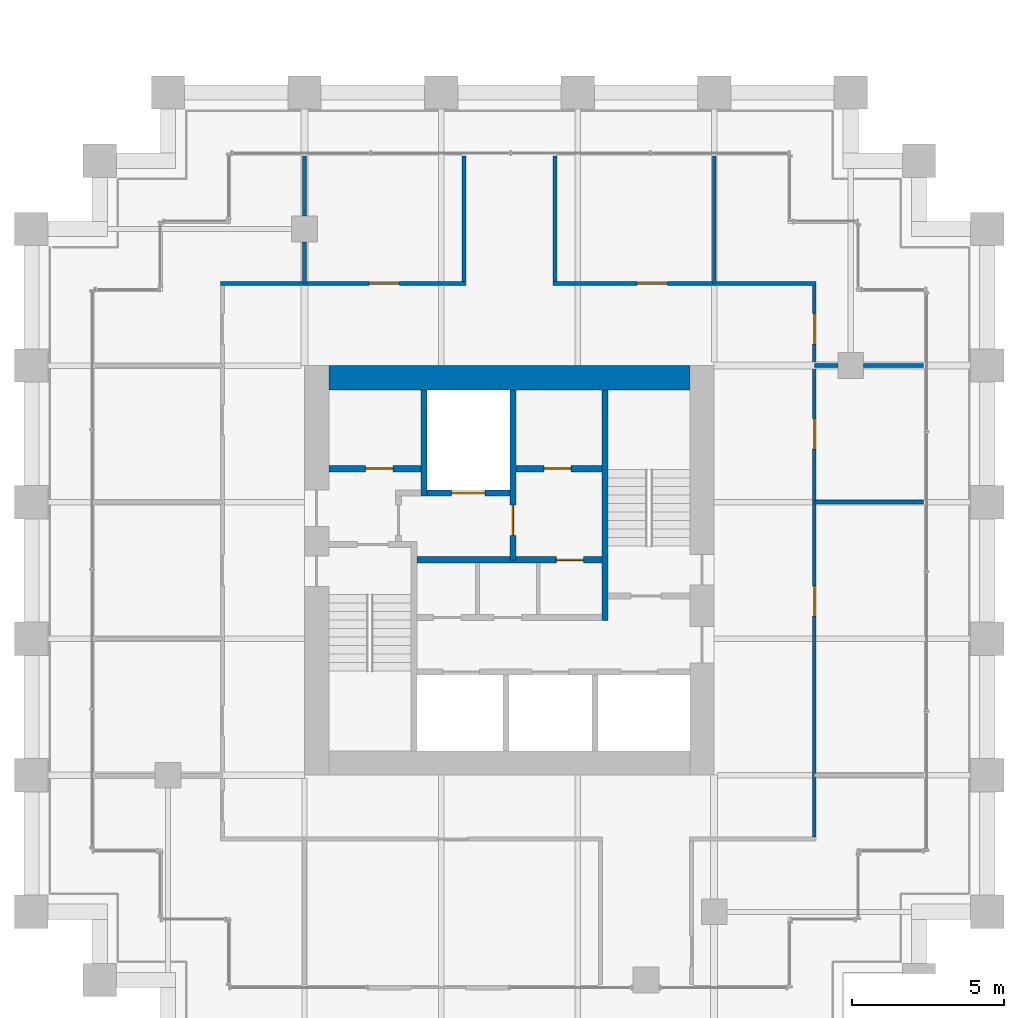
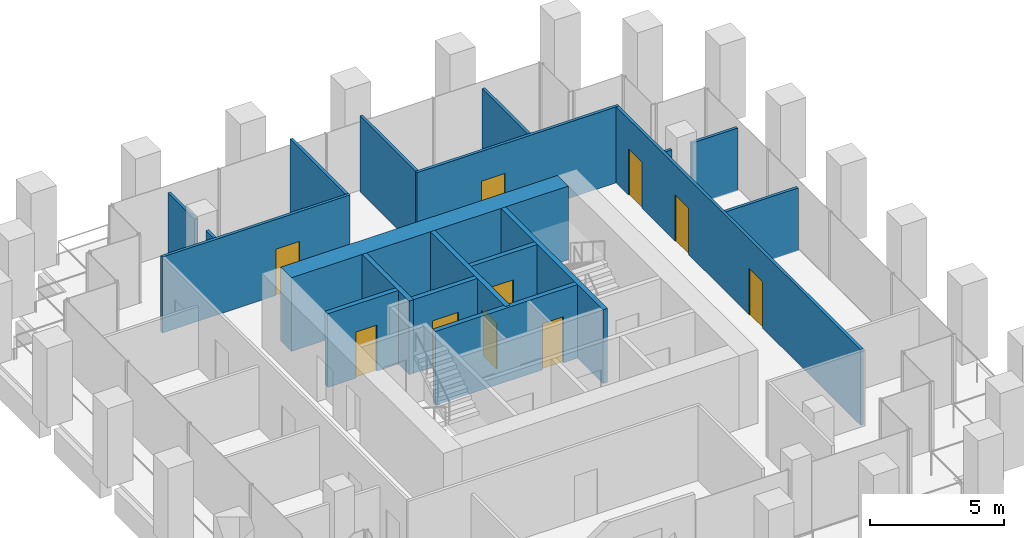
# One storey, part 53 of 56: 19 walls, 10 doors, 10 openings.
"""IFC4 building model written with IfcOpenShell, lengths in metres."""

from ifc_helpers import new_model, si_unit, direction, frame, frame_2d, origin, place, context, subcontext, project, spatial, rectangle, extrude, material, layer, layer_set, type_object, element, fill, save


model = new_model("IFC4")

# Units and contexts
model_context = context("Model", 3, precision=1e-05, world=origin(), true_north=direction((0.0, 1.0)))
body_context = subcontext(model_context, "Body", "Model", "MODEL_VIEW")
ifc_project = project(units=[si_unit("LENGTHUNIT", "METRE"), si_unit("AREAUNIT", "SQUARE_METRE"), si_unit("VOLUMEUNIT", "CUBIC_METRE"), si_unit("PLANEANGLEUNIT", "RADIAN"), si_unit("MASSUNIT", "GRAM", prefix="KILO")], contexts=[model_context])

# Site, building, storey
site_placement = place(None, origin())
site = spatial("IfcSite", under=ifc_project, at=site_placement, CompositionType="ELEMENT")
building_placement = place(site_placement, origin())
building = spatial("IfcBuilding", under=site, at=building_placement, Name="Altepetl Exchange Towers", CompositionType="ELEMENT")
storey_placement = place(building_placement, frame((0.0, 0.0, 54.60009765625)))
storey = spatial("IfcBuildingStorey", under=building, at=storey_placement, Name="L12", CompositionType="ELEMENT", Elevation=54.60009765625)

# Wall
ifc_material_1 = material(Name="Concrete C70/85", Category="concrete")
ifc_layer_1 = layer(ifc_material_1, 0.800048828125)
ifc_layer_set_1 = layer_set([ifc_layer_1], Name="Concrete C70/85")
wall_type_1 = type_object("IfcWallType", Name="Core wall 800 reinforced concrete", PredefinedType="SHEAR", material=ifc_layer_set_1)
wall_1_placement = place(storey_placement, frame((104.300048828125, 49.10009765625, 0.0)))
element("IfcWall", 1, at=wall_1_placement, inside=storey, type_object=wall_type_1, Name="wall:B:L12:K-coreN", PredefinedType="SHEAR", context=body_context, shape_type="SweptSolid", body=[
    extrude(rectangle(XDim=11.89990234375, YDim=0.800048828125, at=frame_2d((5.949951171875, 0.0))), origin(), (0.0, 0.0, 1.0), 3.349853515625),
])

# Wall, opening, door
ifc_material_2 = material(Name="Concrete blockwork", Category="masonry")
ifc_layer_2 = layer(ifc_material_2, 0.199951171875)
ifc_layer_set_2 = layer_set([ifc_layer_2], Name="Concrete blockwork")
wall_type_2 = type_object("IfcWallType", Name="Lobby wall 200 blockwork", PredefinedType="PARTITIONING", material=ifc_layer_set_2)
wall_2_placement = place(storey_placement, frame((107.199951171875, 43.10009765625, 0.0)))
wall_2 = element("IfcWall", 2, at=wall_2_placement, inside=storey, type_object=wall_type_2, Name="wall:B:L12:K-zoneN", PredefinedType="PARTITIONING", context=body_context, shape_type="SweptSolid", body=[
    extrude(rectangle(XDim=6.10009765625, YDim=0.199951171875, at=frame_2d((3.050048828125, 0.0))), origin(), (0.0, 0.0, 1.0), 3.349853515625),
])
opening_1_placement = place(wall_2_placement, frame((4.60009765625, 0.0, 0.0)))
opening_1 = element("IfcOpeningElement", 3, at=opening_1_placement, cuts=wall_2, Name="Opening L12.B72", PredefinedType="OPENING", context=body_context, shape_type="SweptSolid", body=[
    extrude(rectangle(XDim=0.89990234375, YDim=2.10009765625, at=frame_2d((0.449951171875, 1.050048828125))), frame((0.0, 0.10986328125, 0.0), z_axis=(0.0, -1.0, 0.0), x_axis=(1.0, 0.0, 0.0)), (0.0, 0.0, 1.0), 0.219970703125),
])
ifc_material_3 = material(Name="Steel and timber fire door", Category="steel")
door_type_1 = type_object("IfcDoorType", Name="Fire door 900 x 2100 service room", OperationType="SINGLE_SWING_LEFT", PredefinedType="DOOR", material=ifc_material_3)
door_1_placement = place(opening_1_placement, frame((0.89990234375, 0.0, 0.0), x_axis=(-1.0, 0.0, 0.0)))
door_1 = element("IfcDoor", 4, at=door_1_placement, inside=storey, type_object=door_type_1, Name="door:B:L12:K-dz3", OperationType="SINGLE_SWING_LEFT", OverallHeight=2.10009765625, OverallWidth=0.89990234375, PredefinedType="DOOR", context=body_context, shape_type="SweptSolid", body=[
    extrude(rectangle(XDim=0.89990234375, YDim=2.10009765625, at=frame_2d((0.449951171875, 1.050048828125))), frame((0.0, 0.02490234375, 0.0), z_axis=(0.0, -1.0, 0.0), x_axis=(1.0, 0.0, 0.0)), (0.0, 0.0, 1.0), 0.050048828125),
])
fill(opening_1, door_1)

# Walls
ifc_material_4 = material(Name="Gypsum board on steel studs", Category="steel")
ifc_layer_3 = layer(ifc_material_4, 0.125)
ifc_layer_set_3 = layer_set([ifc_layer_3], Name="Gypsum board on steel studs")
wall_type_3 = type_object("IfcWallType", Name="Partition 125 gypsum board on steel studs", PredefinedType="PARTITIONING", material=ifc_layer_set_3)
wall_3_placement = place(storey_placement, frame((120.300048828125, 45.0, 0.0)))
element("IfcWall", 5, at=wall_3_placement, inside=storey, type_object=wall_type_3, Name="wall:B:L12:P08", PredefinedType="PARTITIONING", context=body_context, shape_type="SweptSolid", body=[
    extrude(rectangle(XDim=3.599853515625, YDim=0.125, at=frame_2d((1.7998046875, 0.0))), origin(), (0.0, 0.0, 1.0), 2.850830078125),
])
wall_4_placement = place(storey_placement, frame((120.300048828125, 49.5, 0.0)))
element("IfcWall", 6, at=wall_4_placement, inside=storey, type_object=wall_type_3, Name="wall:B:L12:P10", PredefinedType="PARTITIONING", context=body_context, shape_type="SweptSolid", body=[
    extrude(rectangle(XDim=0.77490234375, YDim=0.125, at=frame_2d((0.387451171875, 0.0))), origin(), (0.0, 0.0, 1.0), 2.841796875),
])
wall_5_placement = place(storey_placement, frame((121.925048828125, 49.5, 0.0)))
element("IfcWall", 7, at=wall_5_placement, inside=storey, type_object=wall_type_3, Name="wall:B:L12:P11", PredefinedType="PARTITIONING", context=body_context, shape_type="SweptSolid", body=[
    extrude(rectangle(XDim=1.974853515625, YDim=0.125, at=frame_2d((0.9873046875, 0.0))), origin(), (0.0, 0.0, 1.0), 2.841796875),
])

# Wall, opening, door
wall_6_placement = place(storey_placement, frame((100.737548828125, 52.199951171875, 0.0)))
wall_6 = element("IfcWall", 8, at=wall_6_placement, inside=storey, type_object=wall_type_3, Name="wall:B:L12:P12", PredefinedType="PARTITIONING", context=body_context, shape_type="SweptSolid", body=[
    extrude(rectangle(XDim=8.074951171875, YDim=0.125, at=frame_2d((4.03759765625, 0.0))), origin(), (0.0, 0.0, 1.0), 3.449951171875),
])
opening_2_placement = place(wall_6_placement, frame((4.887451171875, 0.0, 0.0)))
opening_2 = element("IfcOpeningElement", 9, at=opening_2_placement, cuts=wall_6, Name="Opening L12.B10", PredefinedType="OPENING", context=body_context, shape_type="SweptSolid", body=[
    extrude(rectangle(XDim=1.0, YDim=2.10009765625, at=frame_2d((0.5, 1.050048828125))), frame((0.0, 0.072509765625, 0.0), z_axis=(0.0, -1.0, 0.0), x_axis=(1.0, 0.0, 0.0)), (0.0, 0.0, 1.0), 0.14501953125),
])
door_type_2 = type_object("IfcDoorType", Name="Fire door 1000 x 2100 single leaf", OperationType="SINGLE_SWING_LEFT", PredefinedType="DOOR", material=ifc_material_3)
door_2_placement = place(opening_2_placement, origin())
door_2 = element("IfcDoor", 10, at=door_2_placement, inside=storey, type_object=door_type_2, Name="door:B:L12:10", OperationType="SINGLE_SWING_LEFT", OverallHeight=2.10009765625, OverallWidth=1.0, PredefinedType="DOOR", context=body_context, shape_type="SweptSolid", body=[
    extrude(rectangle(XDim=1.0, YDim=2.10009765625, at=frame_2d((0.5, 1.050048828125))), frame((0.0, 0.02490234375, 0.0), z_axis=(0.0, -1.0, 0.0), x_axis=(1.0, 0.0, 0.0)), (0.0, 0.0, 1.0), 0.050048828125),
])
fill(opening_2, door_2)

wall_7_placement = place(storey_placement, frame((111.6875, 52.199951171875, 0.0)))
wall_7 = element("IfcWall", 11, at=wall_7_placement, inside=storey, type_object=wall_type_3, Name="wall:B:L12:P13", PredefinedType="PARTITIONING", context=body_context, shape_type="SweptSolid", body=[
    extrude(rectangle(XDim=8.675048828125, YDim=0.125, at=frame_2d((4.33740234375, 0.0))), origin(), (0.0, 0.0, 1.0), 3.449951171875),
])
opening_3_placement = place(wall_7_placement, frame((2.7734375, 0.0, 0.0)))
opening_3 = element("IfcOpeningElement", 12, at=opening_3_placement, cuts=wall_7, Name="Opening L12.B09", PredefinedType="OPENING", context=body_context, shape_type="SweptSolid", body=[
    extrude(rectangle(XDim=1.0, YDim=2.10009765625, at=frame_2d((0.5, 1.050048828125))), frame((0.0, 0.072509765625, 0.0), z_axis=(0.0, -1.0, 0.0), x_axis=(1.0, 0.0, 0.0)), (0.0, 0.0, 1.0), 0.14501953125),
])
door_3_placement = place(opening_3_placement, origin())
door_3 = element("IfcDoor", 13, at=door_3_placement, inside=storey, type_object=door_type_2, Name="door:B:L12:09", OperationType="SINGLE_SWING_RIGHT", OverallHeight=2.10009765625, OverallWidth=1.0, PredefinedType="DOOR", context=body_context, shape_type="SweptSolid", body=[
    extrude(rectangle(XDim=1.0, YDim=2.10009765625, at=frame_2d((0.5, 1.050048828125))), frame((0.0, 0.02490234375, 0.0), z_axis=(0.0, -1.0, 0.0), x_axis=(1.0, 0.0, 0.0)), (0.0, 0.0, 1.0), 0.050048828125),
])
fill(opening_3, door_3)

# Walls
wall_8_placement = place(storey_placement, frame((103.5, 52.199951171875, 0.0), z_axis=(0.0, 0.0, 1.0), x_axis=(0.0, 1.0, 0.0)))
element("IfcWall", 14, at=wall_8_placement, inside=storey, type_object=wall_type_3, Name="wall:B:L12:P16", PredefinedType="PARTITIONING", context=body_context, shape_type="SweptSolid", body=[
    extrude(rectangle(XDim=1.375, YDim=0.125, at=frame_2d((0.6875, 0.0))), origin(), (0.0, 0.0, 1.0), 2.841796875),
])
wall_9_placement = place(storey_placement, frame((103.5, 54.425048828125, 0.0), z_axis=(0.0, 0.0, 1.0), x_axis=(0.0, 1.0, 0.0)))
element("IfcWall", 15, at=wall_9_placement, inside=storey, type_object=wall_type_3, Name="wall:B:L12:P17", PredefinedType="PARTITIONING", context=body_context, shape_type="SweptSolid", body=[
    extrude(rectangle(XDim=1.974853515625, YDim=0.125, at=frame_2d((0.9873046875, 0.0))), origin(), (0.0, 0.0, 1.0), 2.841796875),
])
for number, where, z_axis, x_axis, name in (
    (16, (108.75, 52.262451171875, 0.0), (0.0, 0.0, 1.0), (0.0, 1.0, 0.0), "wall:B:L12:P18"),
    (17, (111.75, 52.262451171875, 0.0), (0.0, 0.0, 1.0), (0.0, 1.0, 0.0), "wall:B:L12:P19"),
):
    element("IfcWall", number, at=place(storey_placement, frame(where, z_axis=z_axis, x_axis=x_axis)), inside=storey, type_object=wall_type_3, Name=name, PredefinedType="PARTITIONING", context=body_context, shape_type="SweptSolid", body=[
        extrude(rectangle(XDim=4.137451171875, YDim=0.125, at=frame_2d((2.06884765625, 0.0))), origin(), (0.0, 0.0, 1.0), 3.449951171875),
    ])
wall_10_placement = place(storey_placement, frame((117.0, 52.199951171875, 0.0), z_axis=(0.0, 0.0, 1.0), x_axis=(0.0, 1.0, 0.0)))
element("IfcWall", 18, at=wall_10_placement, inside=storey, type_object=wall_type_3, Name="wall:B:L12:P22", PredefinedType="PARTITIONING", context=body_context, shape_type="SweptSolid", body=[
    extrude(rectangle(XDim=4.199951171875, YDim=0.125, at=frame_2d((2.10009765625, 0.0))), origin(), (0.0, 0.0, 1.0), 2.850830078125),
])

# Wall, openings, doors
wall_11_placement = place(storey_placement, frame((120.300048828125, 33.96240234375, 0.0), z_axis=(0.0, 0.0, 1.0), x_axis=(0.0, 1.0, 0.0)))
wall_11 = element("IfcWall", 19, at=wall_11_placement, inside=storey, type_object=wall_type_3, Name="wall:B:L12:P23", PredefinedType="PARTITIONING", context=body_context, shape_type="SweptSolid", body=[
    extrude(rectangle(XDim=18.175048828125, YDim=0.125, at=frame_2d((9.08740234375, 0.0))), origin(), (0.0, 0.0, 1.0), 3.449951171875),
])
opening_4_placement = place(wall_11_placement, frame((7.279541015625, 0.0, 0.0)))
opening_4 = element("IfcOpeningElement", 20, at=opening_4_placement, cuts=wall_11, Name="Opening L12.B06", PredefinedType="OPENING", context=body_context, shape_type="SweptSolid", body=[
    extrude(rectangle(XDim=1.0, YDim=2.10009765625, at=frame_2d((0.5, 1.050048828125))), frame((0.0, 0.072509765625, 0.0), z_axis=(0.0, -1.0, 0.0), x_axis=(1.0, 0.0, 0.0)), (0.0, 0.0, 1.0), 0.14501953125),
])
opening_5_placement = place(wall_11_placement, frame((12.78759765625, 0.0, 0.0)))
opening_5 = element("IfcOpeningElement", 21, at=opening_5_placement, cuts=wall_11, Name="Opening L12.B07", PredefinedType="OPENING", context=body_context, shape_type="SweptSolid", body=[
    extrude(rectangle(XDim=1.0, YDim=2.10009765625, at=frame_2d((0.5, 1.050048828125))), frame((0.0, 0.072509765625, 0.0), z_axis=(0.0, -1.0, 0.0), x_axis=(1.0, 0.0, 0.0)), (0.0, 0.0, 1.0), 0.14501953125),
])
opening_6_placement = place(wall_11_placement, frame((16.24755859375, 0.0, 0.0)))
opening_6 = element("IfcOpeningElement", 22, at=opening_6_placement, cuts=wall_11, Name="Opening L12.B08", PredefinedType="OPENING", context=body_context, shape_type="SweptSolid", body=[
    extrude(rectangle(XDim=1.0, YDim=2.10009765625, at=frame_2d((0.5, 1.050048828125))), frame((0.0, 0.072509765625, 0.0), z_axis=(0.0, -1.0, 0.0), x_axis=(1.0, 0.0, 0.0)), (0.0, 0.0, 1.0), 0.14501953125),
])
door_4_placement = place(opening_4_placement, frame((1.0, 0.0, 0.0), x_axis=(-1.0, 0.0, 0.0)))
door_4 = element("IfcDoor", 23, at=door_4_placement, inside=storey, type_object=door_type_2, Name="door:B:L12:06", OperationType="SINGLE_SWING_LEFT", OverallHeight=2.10009765625, OverallWidth=1.0, PredefinedType="DOOR", context=body_context, shape_type="SweptSolid", body=[
    extrude(rectangle(XDim=1.0, YDim=2.10009765625, at=frame_2d((0.5, 1.050048828125))), frame((0.0, 0.02490234375, 0.0), z_axis=(0.0, -1.0, 0.0), x_axis=(1.0, 0.0, 0.0)), (0.0, 0.0, 1.0), 0.050048828125),
])
fill(opening_4, door_4)
door_5_placement = place(opening_5_placement, frame((1.0, 0.0, 0.0), x_axis=(-1.0, 0.0, 0.0)))
door_5 = element("IfcDoor", 24, at=door_5_placement, inside=storey, type_object=door_type_2, Name="door:B:L12:07", OperationType="SINGLE_SWING_LEFT", OverallHeight=2.10009765625, OverallWidth=1.0, PredefinedType="DOOR", context=body_context, shape_type="SweptSolid", body=[
    extrude(rectangle(XDim=1.0, YDim=2.10009765625, at=frame_2d((0.5, 1.050048828125))), frame((0.0, 0.02490234375, 0.0), z_axis=(0.0, -1.0, 0.0), x_axis=(1.0, 0.0, 0.0)), (0.0, 0.0, 1.0), 0.050048828125),
])
fill(opening_5, door_5)
door_6_placement = place(opening_6_placement, origin())
door_6 = element("IfcDoor", 25, at=door_6_placement, inside=storey, type_object=door_type_2, Name="door:B:L12:08", OperationType="SINGLE_SWING_RIGHT", OverallHeight=2.10009765625, OverallWidth=1.0, PredefinedType="DOOR", context=body_context, shape_type="SweptSolid", body=[
    extrude(rectangle(XDim=1.0, YDim=2.10009765625, at=frame_2d((0.5, 1.050048828125))), frame((0.0, 0.02490234375, 0.0), z_axis=(0.0, -1.0, 0.0), x_axis=(1.0, 0.0, 0.0)), (0.0, 0.0, 1.0), 0.050048828125),
])
fill(opening_6, door_6)

# Wall
ifc_material_5 = material(Name="Concrete C40/50", Category="concrete")
ifc_layer_4 = layer(ifc_material_5, 0.199951171875)
ifc_layer_set_4 = layer_set([ifc_layer_4], Name="Concrete C40/50")
wall_type_4 = type_object("IfcWallType", Name="Shaft wall 200 reinforced concrete", PredefinedType="SHEAR", material=ifc_layer_set_4)
wall_12_placement = place(storey_placement, frame((107.433349609375, 48.699951171875, 0.0), z_axis=(0.0, 0.0, 1.0), x_axis=(0.0, -1.0, 0.0)))
element("IfcWall", 26, at=wall_12_placement, inside=storey, type_object=wall_type_4, Name="wall:B:L12:K-divN1", PredefinedType="SHEAR", context=body_context, shape_type="SweptSolid", body=[
    extrude(rectangle(XDim=3.5, YDim=0.199951171875, at=frame_2d((1.75, 0.0))), origin(), (0.0, 0.0, 1.0), 3.349853515625),
])

# Wall, opening, door
wall_13_placement = place(storey_placement, frame((110.36669921875, 48.699951171875, 0.0), z_axis=(0.0, 0.0, 1.0), x_axis=(0.0, -1.0, 0.0)))
wall_13 = element("IfcWall", 27, at=wall_13_placement, inside=storey, type_object=wall_type_4, Name="wall:B:L12:K-divN2", PredefinedType="SHEAR", context=body_context, shape_type="SweptSolid", body=[
    extrude(rectangle(XDim=5.599853515625, YDim=0.199951171875, at=frame_2d((2.7998046875, 0.0))), origin(), (0.0, 0.0, 1.0), 3.349853515625),
])
opening_7_placement = place(wall_13_placement, frame((3.800048828125, 0.0, 0.0)))
opening_7 = element("IfcOpeningElement", 28, at=opening_7_placement, cuts=wall_13, Name="Opening L12.B66", PredefinedType="OPENING", context=body_context, shape_type="SweptSolid", body=[
    extrude(rectangle(XDim=1.0, YDim=2.10009765625, at=frame_2d((0.5, 1.050048828125))), frame((0.0, 0.10986328125, 0.0), z_axis=(0.0, -1.0, 0.0), x_axis=(1.0, 0.0, 0.0)), (0.0, 0.0, 1.0), 0.219970703125),
])
door_type_3 = type_object("IfcDoorType", Name="Fire door 1000 x 2100 stair and lobby", OperationType="SINGLE_SWING_LEFT", PredefinedType="DOOR", material=ifc_material_3)
door_7_placement = place(opening_7_placement, frame((1.0, 0.0, 0.0), x_axis=(-1.0, 0.0, 0.0)))
door_7 = element("IfcDoor", 29, at=door_7_placement, inside=storey, type_object=door_type_3, Name="door:B:L12:K-dffE", OperationType="SINGLE_SWING_RIGHT", OverallHeight=2.10009765625, OverallWidth=1.0, PredefinedType="DOOR", context=body_context, shape_type="SweptSolid", body=[
    extrude(rectangle(XDim=1.0, YDim=2.10009765625, at=frame_2d((0.5, 1.050048828125))), frame((0.0, 0.02490234375, 0.0), z_axis=(0.0, -1.0, 0.0), x_axis=(1.0, 0.0, 0.0)), (0.0, 0.0, 1.0), 0.050048828125),
])
fill(opening_7, door_7)

wall_14_placement = place(storey_placement, frame((104.300048828125, 46.10009765625, 0.0)))
wall_14 = element("IfcWall", 30, at=wall_14_placement, inside=storey, type_object=wall_type_4, Name="wall:B:L12:K-frontNa", PredefinedType="SHEAR", context=body_context, shape_type="SweptSolid", body=[
    extrude(rectangle(XDim=3.033203125, YDim=0.199951171875, at=frame_2d((1.5166015625, 0.0))), origin(), (0.0, 0.0, 1.0), 3.349853515625),
])
opening_8_placement = place(wall_14_placement, frame((1.216796875, 0.0, 0.0)))
opening_8 = element("IfcOpeningElement", 31, at=opening_8_placement, cuts=wall_14, Name="Opening L12.B68", PredefinedType="OPENING", context=body_context, shape_type="SweptSolid", body=[
    extrude(rectangle(XDim=0.89990234375, YDim=2.10009765625, at=frame_2d((0.449951171875, 1.050048828125))), frame((0.0, 0.10986328125, 0.0), z_axis=(0.0, -1.0, 0.0), x_axis=(1.0, 0.0, 0.0)), (0.0, 0.0, 1.0), 0.219970703125),
])
door_8_placement = place(opening_8_placement, origin())
door_8 = element("IfcDoor", 32, at=door_8_placement, inside=storey, type_object=door_type_1, Name="door:B:L12:K-dslotN0", OperationType="SINGLE_SWING_RIGHT", OverallHeight=2.10009765625, OverallWidth=0.89990234375, PredefinedType="DOOR", context=body_context, shape_type="SweptSolid", body=[
    extrude(rectangle(XDim=0.89990234375, YDim=2.10009765625, at=frame_2d((0.449951171875, 1.050048828125))), frame((0.0, 0.02490234375, 0.0), z_axis=(0.0, -1.0, 0.0), x_axis=(1.0, 0.0, 0.0)), (0.0, 0.0, 1.0), 0.050048828125),
])
fill(opening_8, door_8)

wall_15_placement = place(storey_placement, frame((110.466796875, 46.10009765625, 0.0)))
wall_15 = element("IfcWall", 33, at=wall_15_placement, inside=storey, type_object=wall_type_4, Name="wall:B:L12:K-frontNb", PredefinedType="SHEAR", context=body_context, shape_type="SweptSolid", body=[
    extrude(rectangle(XDim=2.833251953125, YDim=0.199951171875, at=frame_2d((1.41650390625, 0.0))), origin(), (0.0, 0.0, 1.0), 3.349853515625),
])
opening_9_placement = place(wall_15_placement, frame((0.91650390625, 0.0, 0.0)))
opening_9 = element("IfcOpeningElement", 34, at=opening_9_placement, cuts=wall_15, Name="Opening L12.B69", PredefinedType="OPENING", context=body_context, shape_type="SweptSolid", body=[
    extrude(rectangle(XDim=0.89990234375, YDim=2.10009765625, at=frame_2d((0.449951171875, 1.050048828125))), frame((0.0, 0.10986328125, 0.0), z_axis=(0.0, -1.0, 0.0), x_axis=(1.0, 0.0, 0.0)), (0.0, 0.0, 1.0), 0.219970703125),
])
door_9_placement = place(opening_9_placement, origin())
door_9 = element("IfcDoor", 35, at=door_9_placement, inside=storey, type_object=door_type_1, Name="door:B:L12:K-dslotN2", OperationType="SINGLE_SWING_RIGHT", OverallHeight=2.10009765625, OverallWidth=0.89990234375, PredefinedType="DOOR", context=body_context, shape_type="SweptSolid", body=[
    extrude(rectangle(XDim=0.89990234375, YDim=2.10009765625, at=frame_2d((0.449951171875, 1.050048828125))), frame((0.0, 0.02490234375, 0.0), z_axis=(0.0, -1.0, 0.0), x_axis=(1.0, 0.0, 0.0)), (0.0, 0.0, 1.0), 0.050048828125),
])
fill(opening_9, door_9)

wall_16_placement = place(storey_placement, frame((107.533203125, 45.300048828125, 0.0)))
wall_16 = element("IfcWall", 36, at=wall_16_placement, inside=storey, type_object=wall_type_4, Name="wall:B:L12:K-frontNd", PredefinedType="SHEAR", context=body_context, shape_type="SweptSolid", body=[
    extrude(rectangle(XDim=2.7333984375, YDim=0.199951171875, at=frame_2d((1.36669921875, 0.0))), origin(), (0.0, 0.0, 1.0), 3.349853515625),
])
opening_10_placement = place(wall_16_placement, frame((0.816650390625, 0.0, 0.0)))
opening_10 = element("IfcOpeningElement", 37, at=opening_10_placement, cuts=wall_16, Name="Opening L12.B73", PredefinedType="OPENING", context=body_context, shape_type="SweptSolid", body=[
    extrude(rectangle(XDim=1.10009765625, YDim=2.10009765625, at=frame_2d((0.550048828125, 1.050048828125))), frame((0.0, 0.10986328125, 0.0), z_axis=(0.0, -1.0, 0.0), x_axis=(1.0, 0.0, 0.0)), (0.0, 0.0, 1.0), 0.219970703125),
])
ifc_material_6 = material(Name="Stainless steel", Category="steel")
door_type_4 = type_object("IfcDoorType", Name="Lift landing door 1100 x 2100", OperationType="SLIDING_TO_LEFT", PredefinedType="DOOR", material=ifc_material_6)
door_10_placement = place(opening_10_placement, origin())
door_10 = element("IfcDoor", 38, at=door_10_placement, inside=storey, type_object=door_type_4, Name="Landing door FFL1", OperationType="SLIDING_TO_LEFT", OverallHeight=2.10009765625, OverallWidth=1.10009765625, PredefinedType="DOOR", context=body_context, shape_type="SweptSolid", body=[
    extrude(rectangle(XDim=1.10009765625, YDim=2.10009765625, at=frame_2d((0.550048828125, 1.050048828125))), frame((0.0, 0.02490234375, 0.0), z_axis=(0.0, -1.0, 0.0), x_axis=(1.0, 0.0, 0.0)), (0.0, 0.0, 1.0), 0.050048828125),
])
fill(opening_10, door_10)

# Wall
ifc_layer_5 = layer(ifc_material_5, 0.199951171875)
ifc_layer_set_5 = layer_set([ifc_layer_5], Name="Concrete C40/50")
wall_type_5 = type_object("IfcWallType", Name="Stair wall 200 reinforced concrete", PredefinedType="SHEAR", material=ifc_layer_set_5)
wall_17_placement = place(storey_placement, frame((113.39990234375, 41.10009765625, 0.0), z_axis=(0.0, 0.0, 1.0), x_axis=(0.0, 1.0, 0.0)))
element("IfcWall", 39, at=wall_17_placement, inside=storey, type_object=wall_type_5, Name="wall:B:L12:K-stS2W", PredefinedType="SHEAR", context=body_context, shape_type="SweptSolid", body=[
    extrude(rectangle(XDim=7.599853515625, YDim=0.199951171875, at=frame_2d((3.7998046875, 0.0))), origin(), (0.0, 0.0, 1.0), 3.349853515625),
])

save(model, "model.ifc")
